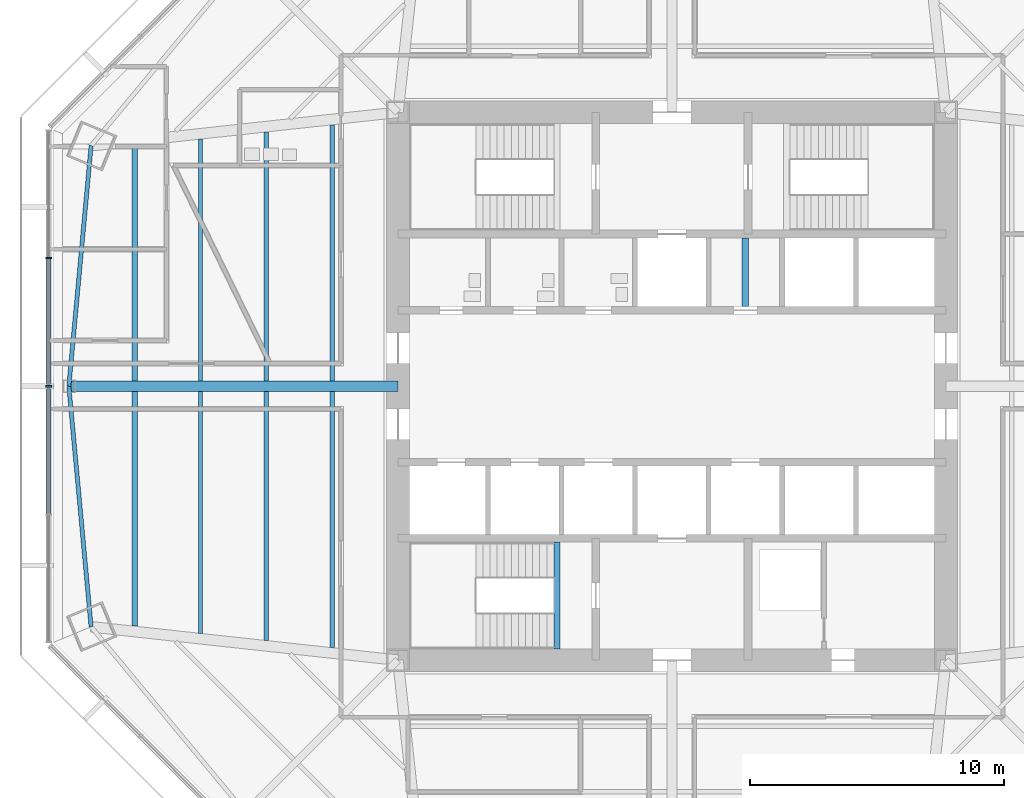
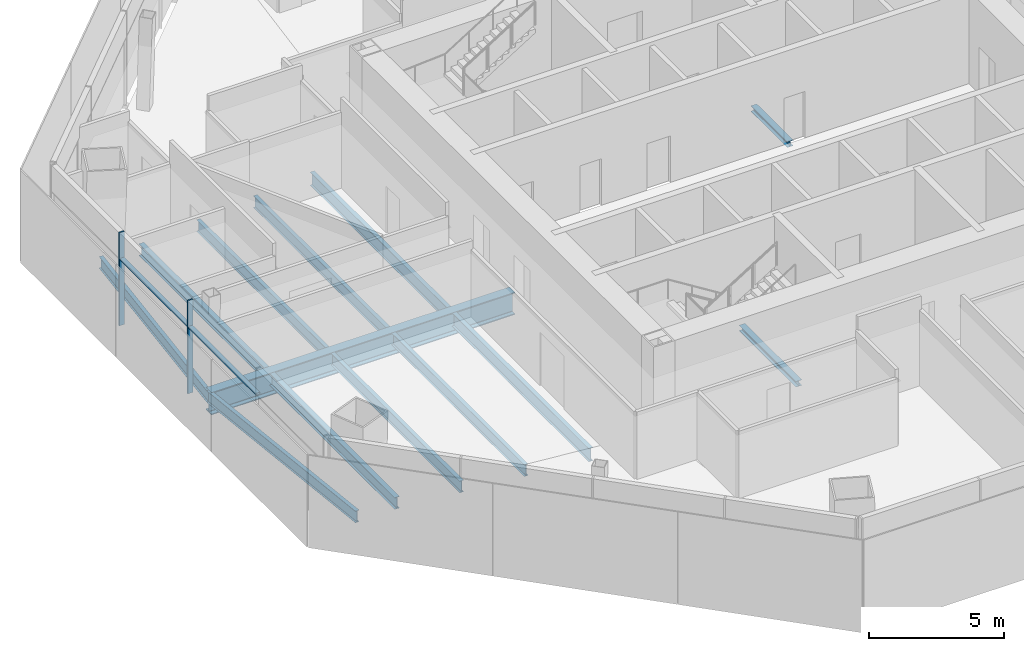
# One storey, part 3 of 14: 13 beams, 4 members, 1 element without a shape of its own.
"""IFC4 building model written with IfcOpenShell, lengths in metres."""

import ifcopenshell
import ifcopenshell.guid

model = None  # the IFC model being written
_history = None  # IfcOwnerHistory: only IFC2X3 demands one
_inside = {}  # id of a spatial element -> (the spatial element, [elements in it])
_under = {}  # id of a project, library or spatial element -> (it, [spatial elements below it])
_declared = {}  # id of a project -> (the project, [libraries it declares])
_typed = {}  # id of a type object -> (the type object, [elements of that type])
_made_of = {}  # id of a material, layer set ... -> (it, [elements and type objects made of it])


def new_model(schema):
    """Start an empty IFC model of exactly this schema.

    Asked for "IFC4X3", IfcOpenShell would pick the latest addendum, in which some entities
    have other attributes; the version numbers below select the first issue.
    IFC2X3 requires an IfcOwnerHistory on every rooted entity: one is made here for all.
    """
    global model, _history
    if schema == "IFC4X3":
        model = ifcopenshell.file(schema_version=(4, 3, 0, 0))
    else:
        model = ifcopenshell.file(schema=schema)
    _inside.clear()
    _under.clear()
    _declared.clear()
    _typed.clear()
    _made_of.clear()
    _history = None
    if model.schema == "IFC2X3":
        org = make("IfcOrganization", Name="unknown")
        user = make(
            "IfcPersonAndOrganization",
            ThePerson=make("IfcPerson", FamilyName="unknown"),
            TheOrganization=org,
        )
        app = make(
            "IfcApplication",
            ApplicationDeveloper=org,
            Version="unknown",
            ApplicationFullName="unknown",
            ApplicationIdentifier="unknown",
        )
        _history = make(
            "IfcOwnerHistory",
            OwningUser=user,
            OwningApplication=app,
            ChangeAction="ADDED",
            CreationDate=0,
        )
    return model


def make(cls, **values):
    """One entity of the class cls with the attributes given. An attribute that is None is left unset."""
    return model.create_entity(
        cls, **{name: value for name, value in values.items() if value is not None}
    )


def rooted(cls, **values):
    """An entity with a GlobalId (a new one), such as an element, a storey or a relation."""
    return make(cls, GlobalId=ifcopenshell.guid.new(), OwnerHistory=_history, **values)


def si_unit(unit_type, name, prefix=None):
    """IfcSIUnit, for example si_unit("LENGTHUNIT", "METRE", prefix="MILLI")."""
    return make("IfcSIUnit", UnitType=unit_type, Prefix=prefix, Name=name)


def assignment(units):
    """IfcUnitAssignment: the units of a project."""
    return None if units is None else make("IfcUnitAssignment", Units=units)


def point(xyz):
    """IfcCartesianPoint."""
    return None if xyz is None else make("IfcCartesianPoint", Coordinates=xyz)


def direction(xyz):
    """IfcDirection."""
    return None if xyz is None else make("IfcDirection", DirectionRatios=xyz)


def frame(location, z_axis=None, x_axis=None):
    """IfcAxis2Placement3D, a coordinate frame: its origin and axes. An axis left out is left unset."""
    return make(
        "IfcAxis2Placement3D",
        Location=point(location),
        Axis=direction(z_axis),
        RefDirection=direction(x_axis),
    )


def frame_2d(location, x_axis=None):
    """IfcAxis2Placement2D, a coordinate frame in the plane: its origin and x axis."""
    return make(
        "IfcAxis2Placement2D", Location=point(location), RefDirection=direction(x_axis)
    )


def origin():
    """The frame at (0, 0, 0) with its axes left unset."""
    return frame((0.0, 0.0, 0.0))


def origin_2d():
    """The frame at (0, 0) in the plane with its x axis left unset."""
    return frame_2d((0.0, 0.0))


def place(relative_to, where):
    """IfcLocalPlacement: puts the frame where relative to a parent placement (None: the world)."""
    return make(
        "IfcLocalPlacement", PlacementRelTo=relative_to, RelativePlacement=where
    )


def context(
    kind, dimensions, precision=None, world=None, true_north=None, identifier=None
):
    """IfcGeometricRepresentationContext, for example the 3D "Model" context."""
    return make(
        "IfcGeometricRepresentationContext",
        ContextIdentifier=identifier,
        ContextType=kind,
        CoordinateSpaceDimension=dimensions,
        Precision=precision,
        WorldCoordinateSystem=world,
        TrueNorth=true_north,
    )


def subcontext(parent, identifier, kind, view, scale=None):
    """IfcGeometricRepresentationSubContext, for example "Body" below "Model"."""
    return make(
        "IfcGeometricRepresentationSubContext",
        ContextIdentifier=identifier,
        ContextType=kind,
        ParentContext=parent,
        TargetScale=scale,
        TargetView=view,
    )


def project(units=None, contexts=None):
    """IfcProject with its units and contexts."""
    return rooted(
        "IfcProject",
        Name="project",
        RepresentationContexts=contexts,
        UnitsInContext=assignment(units),
    )


def spatial(cls, under=None, at=None, **own):
    """A site, building, storey or space (cls), placed at a placement, below another one or the project."""
    s = rooted(cls, ObjectPlacement=at, **own)
    if under is not None:
        _under.setdefault(under.id(), (under, []))[1].append(s)
    return s


def profile(cls, at=None, kind="AREA", **sizes):
    """A parametric profile (cls). Its sizes go by their IFC names, for example OverallWidth=200.0."""
    return make(cls, ProfileType=kind, Position=at, **sizes)


def rectangle(**sizes):
    """IfcRectangleProfileDef."""
    return profile("IfcRectangleProfileDef", **sizes)


def i_section(**sizes):
    """IfcIShapeProfileDef."""
    return profile("IfcIShapeProfileDef", **sizes)


def extrude(swept, where, along, depth):
    """IfcExtrudedAreaSolid: the profile swept, set in the frame where, extruded along a direction by depth."""
    return make(
        "IfcExtrudedAreaSolid",
        SweptArea=swept,
        Position=where,
        ExtrudedDirection=direction(along),
        Depth=depth,
    )


def shape(context_of_items, identifier, shape_type, items):
    """IfcShapeRepresentation: the items that make up one representation, for example the "Body"."""
    return make(
        "IfcShapeRepresentation",
        ContextOfItems=context_of_items,
        RepresentationIdentifier=identifier,
        RepresentationType=shape_type,
        Items=items,
    )


def source(mapping_origin, context_of_items, identifier, shape_type, items):
    """IfcRepresentationMap: a shape defined once, which mapped items show again and again."""
    return make(
        "IfcRepresentationMap",
        MappingOrigin=mapping_origin,
        MappedRepresentation=shape(context_of_items, identifier, shape_type, items),
    )


def transform(
    local_origin,
    x_axis=None,
    y_axis=None,
    z_axis=None,
    scale=None,
    scale2=None,
    scale3=None,
    uniform=True,
):
    """IfcCartesianTransformationOperator3D, or its non-uniform kind. x_axis, y_axis, z_axis: its Axis1, 2, 3."""
    if uniform:
        return make(
            "IfcCartesianTransformationOperator3D",
            Axis1=direction(x_axis),
            Axis2=direction(y_axis),
            LocalOrigin=point(local_origin),
            Scale=scale,
            Axis3=direction(z_axis),
        )
    return make(
        "IfcCartesianTransformationOperator3DnonUniform",
        Axis1=direction(x_axis),
        Axis2=direction(y_axis),
        LocalOrigin=point(local_origin),
        Scale=scale,
        Axis3=direction(z_axis),
        Scale2=scale2,
        Scale3=scale3,
    )


def mapped(mapping_source, mapping_target):
    """IfcMappedItem: shows the shape of a source again, moved by a transform."""
    return make(
        "IfcMappedItem", MappingSource=mapping_source, MappingTarget=mapping_target
    )


def material(Name=None, Category=None):
    """IfcMaterial."""
    return make("IfcMaterial", Name=Name, Category=Category)


def material_profile(
    of_material, cross_section, Name=None, Category=None, Priority=None
):
    """IfcMaterialProfile: a cross section and its material."""
    return make(
        "IfcMaterialProfile",
        Name=Name,
        Material=of_material,
        Profile=cross_section,
        Priority=Priority,
        Category=Category,
    )


def profile_set(profiles, Name=None, composite=None):
    """IfcMaterialProfileSet."""
    return make(
        "IfcMaterialProfileSet",
        Name=Name,
        MaterialProfiles=profiles,
        CompositeProfile=composite,
    )


def made_of(thing, what):
    """Note that an element or type object is made of a material, layer set ...; save() writes the relation."""
    if what is not None:
        _made_of.setdefault(what.id(), (what, []))[1].append(thing)
    return thing


def type_object(cls, material=None, **own):
    """A type object (cls), such as IfcWallType, which elements share."""
    return made_of(rooted(cls, **own), material)


def type_shapes(of_type, sources):
    """Give a type object the sources (RepresentationMaps) that its elements show as mapped items."""
    of_type.RepresentationMaps = sources


def element(
    cls,
    number,
    at=None,
    inside=None,
    cuts=None,
    type_object=None,
    material=None,
    context=None,
    identifier="Body",
    shape_type=None,
    held_by="IfcProductDefinitionShape",
    body=None,
    shapes=None,
    **own,
):
    """One element of the class cls, such as IfcWall. Its Tag is "e" and its number.

    at: its placement. inside: the storey or other place that contains it. cuts: it is an
    opening in that element (IfcRelVoidsElement). A single representation is given by context,
    identifier, shape_type and body (its items); several are given by shapes. held_by: the class
    of the entity that holds the representations. save() writes the other relations.
    """
    e = rooted(cls, Tag="e%d" % number, ObjectPlacement=at, **own)
    if body is not None:
        shapes = [shape(context, identifier, shape_type, body)]
    if shapes is not None:
        e.Representation = make(held_by, Representations=shapes)
    if inside is not None:
        _inside.setdefault(inside.id(), (inside, []))[1].append(e)
    if cuts is not None:
        rooted(
            "IfcRelVoidsElement", RelatingBuildingElement=cuts, RelatedOpeningElement=e
        )
    if type_object is not None:
        _typed.setdefault(type_object.id(), (type_object, []))[1].append(e)
    return made_of(e, material)


def aggregate(whole, parts):
    """IfcRelAggregates: a whole, such as a stair, and the parts it consists of."""
    return rooted("IfcRelAggregates", RelatingObject=whole, RelatedObjects=parts)


def save(model, path):
    """Write the relations noted so far, then the file.

    IfcRelAggregates (storeys below a building ...), IfcRelContainedInSpatialStructure (elements
    in a storey), IfcRelDefinesByType, IfcRelAssociatesMaterial and IfcRelDeclares: one each for
    every whole, place, type object, material and project.
    """
    for whole, parts in _under.values():
        aggregate(whole, parts)
    for where, things in _inside.values():
        rooted(
            "IfcRelContainedInSpatialStructure",
            RelatedElements=things,
            RelatingStructure=where,
        )
    for kind, things in _typed.values():
        rooted("IfcRelDefinesByType", RelatedObjects=things, RelatingType=kind)
    for what, things in _made_of.values():
        rooted("IfcRelAssociatesMaterial", RelatedObjects=things, RelatingMaterial=what)
    for by, libraries in _declared.values():
        rooted("IfcRelDeclares", RelatingContext=by, RelatedDefinitions=libraries)
    model.write(path)


model = new_model("IFC4")

# Units and contexts
model_context = context("Model", 3, precision=1e-05, world=origin(), true_north=direction((0.0, 1.0)))
body_context = subcontext(model_context, "Body", "Model", "MODEL_VIEW")
ifc_project = project(units=[si_unit("LENGTHUNIT", "METRE"), si_unit("AREAUNIT", "SQUARE_METRE"), si_unit("VOLUMEUNIT", "CUBIC_METRE"), si_unit("PLANEANGLEUNIT", "RADIAN"), si_unit("MASSUNIT", "GRAM", prefix="KILO")], contexts=[model_context])

# Site, building, storey
site_placement = place(None, origin())
site = spatial("IfcSite", under=ifc_project, at=site_placement, CompositionType="ELEMENT")
building_placement = place(site_placement, origin())
building = spatial("IfcBuilding", under=site, at=building_placement, Name="Mashrafa Tower", CompositionType="ELEMENT")
storey_placement = place(building_placement, frame((0.0, 0.0, 121.800048828125)))
storey = spatial("IfcBuildingStorey", under=building, at=storey_placement, Name="L27", CompositionType="ELEMENT", Elevation=121.800048828125)

# Beams
ifc_material_1 = material(Name="Steel ASTM A992", Category="steel")
ifc_material_profile_1 = material_profile(ifc_material_1, i_section(OverallWidth=0.1650390625, OverallDepth=0.52587890625, WebThickness=0.0087890625, FlangeThickness=0.011474609375, FilletRadius=0.0126953125, at=origin_2d()), Name="W21X44")
ifc_profile_set_1 = profile_set([ifc_material_profile_1], Name="Steel ASTM A992")
beam_type_1 = type_object("IfcBeamType", Name="Beam W21X44", PredefinedType="BEAM", material=ifc_profile_set_1)
for number, where, z_axis, x_axis, name in (
    (1, (-18.584228515625, -9.7421875, -0.427978515625), (0.0, 1.0, 0.0), (-1.0, 0.0, 0.0), "Floor beam L27 004"),
    (2, (-18.584228515625, 0.20068359375, -0.427978515625), (0.0, 1.0, 0.0), (-1.0, 0.0, 0.0), "Floor beam L27 005"),
):
    element("IfcBeam", number, at=place(storey_placement, frame(where, z_axis=z_axis, x_axis=x_axis)), inside=storey, type_object=beam_type_1, Name=name, PredefinedType="BEAM", context=body_context, shape_type="SweptSolid", body=[
        extrude(i_section(OverallWidth=0.1650390625, OverallDepth=0.52587890625, WebThickness=0.0087890625, FlangeThickness=0.011474609375, FilletRadius=0.0126953125, at=origin_2d()), origin(), (0.0, 0.0, 1.0), 9.54150390625),
    ])
for number, where, z_axis, x_axis, name in (
    (3, (-15.989501953125, -10.0244140625, -0.427978515625), (0.0, 1.0, 0.0), (-1.0, 0.0, 0.0), "Floor beam L27 006"),
    (4, (-15.989501953125, 0.20068359375, -0.427978515625), (0.0, 1.0, 0.0), (-1.0, 0.0, 0.0), "Floor beam L27 007"),
):
    element("IfcBeam", number, at=place(storey_placement, frame(where, z_axis=z_axis, x_axis=x_axis)), inside=storey, type_object=beam_type_1, Name=name, PredefinedType="BEAM", context=body_context, shape_type="SweptSolid", body=[
        extrude(i_section(OverallWidth=0.1650390625, OverallDepth=0.52587890625, WebThickness=0.0087890625, FlangeThickness=0.011474609375, FilletRadius=0.0126953125, at=origin_2d()), origin(), (0.0, 0.0, 1.0), 9.82373046875),
    ])
for number, where, z_axis, x_axis, name in (
    (5, (-23.773681640625, 0.0, -0.427978515625), (0.092204329172, -0.995740107499, 0.0), (0.995740107499, 0.092204329172, 0.0), "Spandrel beam L27 065"),
    (6, (-22.8955078125, 9.483642578125, -0.427978515625), (-0.092204329172, -0.995740107499, 0.0), (0.995740107499, -0.092204329172, 0.0), "Spandrel beam L27 067"),
):
    element("IfcBeam", number, at=place(storey_placement, frame(where, z_axis=z_axis, x_axis=x_axis)), inside=storey, type_object=beam_type_1, Name=name, PredefinedType="BEAM", context=body_context, shape_type="SweptSolid", body=[
        extrude(i_section(OverallWidth=0.1650390625, OverallDepth=0.52587890625, WebThickness=0.0087890625, FlangeThickness=0.011474609375, FilletRadius=0.0126953125, at=origin_2d()), origin(), (0.0, 0.0, 1.0), 9.524169921875),
    ])
ifc_material_2 = material(Name="Steel ASTM A992", Category="steel")
ifc_material_profile_2 = material_profile(ifc_material_2, i_section(OverallWidth=0.209228515625, OverallDepth=0.533447265625, WebThickness=0.01025390625, FlangeThickness=0.015625, FilletRadius=0.012939453125, at=origin_2d()), Name="W21X62")
ifc_profile_set_2 = profile_set([ifc_material_profile_2], Name="Steel ASTM A992")
beam_type_2 = type_object("IfcBeamType", Name="Beam W21X62", PredefinedType="BEAM", material=ifc_profile_set_2)
for number, where, z_axis, x_axis, name in (
    (7, (-21.178955078125, -9.459716796875, -0.431640625), (0.0, 1.0, 0.0), (-1.0, 0.0, 0.0), "Floor beam L27 001"),
    (8, (-21.178955078125, 0.20068359375, -0.431640625), (0.0, 1.0, 0.0), (-1.0, 0.0, 0.0), "Floor beam L27 002"),
):
    element("IfcBeam", number, at=place(storey_placement, frame(where, z_axis=z_axis, x_axis=x_axis)), inside=storey, type_object=beam_type_2, Name=name, PredefinedType="BEAM", context=body_context, shape_type="SweptSolid", body=[
        extrude(i_section(OverallWidth=0.209228515625, OverallDepth=0.533447265625, WebThickness=0.01025390625, FlangeThickness=0.015625, FilletRadius=0.012939453125, at=origin_2d()), origin(), (0.0, 0.0, 1.0), 9.259033203125),
    ])
ifc_material_3 = material(Name="Steel ASTM A992", Category="steel")
ifc_material_profile_3 = material_profile(ifc_material_3, i_section(OverallWidth=0.177978515625, OverallDepth=0.599365234375, WebThickness=0.010009765625, FlangeThickness=0.012939453125, FilletRadius=0.012939453125, at=origin_2d()), Name="W24X55")
ifc_profile_set_3 = profile_set([ifc_material_profile_3], Name="Steel ASTM A992")
beam_type_3 = type_object("IfcBeamType", Name="Beam W24X55", PredefinedType="BEAM", material=ifc_profile_set_3)
for number, where, z_axis, x_axis, name in (
    (9, (-13.394775390625, -10.306884765625, -0.46484375), (0.0, 1.0, 0.0), (-1.0, 0.0, 0.0), "Floor beam L27 011"),
    (10, (-13.394775390625, 0.20068359375, -0.46484375), (0.0, 1.0, 0.0), (-1.0, 0.0, 0.0), "Floor beam L27 012"),
):
    element("IfcBeam", number, at=place(storey_placement, frame(where, z_axis=z_axis, x_axis=x_axis)), inside=storey, type_object=beam_type_3, Name=name, PredefinedType="BEAM", context=body_context, shape_type="SweptSolid", body=[
        extrude(i_section(OverallWidth=0.177978515625, OverallDepth=0.599365234375, WebThickness=0.010009765625, FlangeThickness=0.012939453125, FilletRadius=0.012939453125, at=origin_2d()), origin(), (0.0, 0.0, 1.0), 10.106201171875),
    ])
ifc_material_4 = material(Name="Steel ASTM A992", Category="steel")
ifc_material_profile_4 = material_profile(ifc_material_4, i_section(OverallWidth=0.4013671875, OverallDepth=1.010986328125, WebThickness=0.023681640625, FlangeThickness=0.0419921875, FilletRadius=0.02001953125, at=origin_2d()), Name="W40X297")
ifc_profile_set_4 = profile_set([ifc_material_profile_4], Name="Steel ASTM A992")
beam_type_4 = type_object("IfcBeamType", Name="Beam W40X297", PredefinedType="BEAM", material=ifc_profile_set_4)
beam_1_placement = place(storey_placement, frame((-10.800048828125, 0.0, -0.67041015625), z_axis=(-1.0, 0.0, 0.0), x_axis=(0.0, -1.0, 0.0)))
element("IfcBeam", 11, at=beam_1_placement, inside=storey, type_object=beam_type_4, Name="Radial girder L27 052", PredefinedType="BEAM", context=body_context, shape_type="SweptSolid", body=[
    extrude(i_section(OverallWidth=0.4013671875, OverallDepth=1.010986328125, WebThickness=0.023681640625, FlangeThickness=0.0419921875, FilletRadius=0.02001953125, at=origin_2d()), origin(), (0.0, 0.0, 1.0), 12.9736328125),
])
ifc_material_5 = material(Name="Steel ASTM A992", Category="steel")
ifc_material_profile_5 = material_profile(ifc_material_5, i_section(OverallWidth=0.25390625, OverallDepth=0.25390625, WebThickness=0.008544921875, FlangeThickness=0.01416015625, FilletRadius=0.010009765625, at=origin_2d()), Name="W10X49")
ifc_profile_set_5 = profile_set([ifc_material_profile_5], Name="Steel ASTM A992")
beam_type_5 = type_object("IfcBeamType", Name="Hoistway beam W10X49", PredefinedType="BEAM", material=ifc_profile_set_5)
beam_2_placement = place(storey_placement, frame((2.89990234375, 3.14990234375, -0.2919921875), z_axis=(0.0, 1.0, 0.0), x_axis=(-1.0, 0.0, 0.0)))
element("IfcBeam", 12, at=beam_2_placement, inside=storey, type_object=beam_type_5, Name="Hoistway beam L27 06", PredefinedType="BEAM", context=body_context, shape_type="SweptSolid", body=[
    extrude(i_section(OverallWidth=0.25390625, OverallDepth=0.25390625, WebThickness=0.008544921875, FlangeThickness=0.01416015625, FilletRadius=0.010009765625, at=origin_2d()), origin(), (0.0, 0.0, 1.0), 2.7001953125),
])
beam_3_placement = place(storey_placement, frame((-4.530029296875, -10.35009765625, -0.3271484375), z_axis=(0.0, 1.0, 0.0), x_axis=(-1.0, 0.0, 0.0)))
element("IfcBeam", 13, at=beam_3_placement, inside=storey, type_object=beam_type_5, Name="Stair S3 landing beam L27", PredefinedType="BEAM", context=body_context, shape_type="SweptSolid", body=[
    extrude(i_section(OverallWidth=0.25390625, OverallDepth=0.25390625, WebThickness=0.008544921875, FlangeThickness=0.01416015625, FilletRadius=0.010009765625, at=origin_2d()), origin(), (0.0, 0.0, 1.0), 4.2001953125),
])

# Curtain wall, members
ifc_material_6 = material(Name="Unitised aluminium curtain wall", Category="aluminium")
curtain_wall_type = type_object("IfcCurtainWallType", Name="Office curtain wall, zone 2 CW-B 225 deep", PredefinedType="NOTDEFINED", material=ifc_material_6)
curtain_wall_placement = place(storey_placement, origin())
curtain_wall = element("IfcCurtainWall", 14, at=curtain_wall_placement, inside=storey, type_object=curtain_wall_type, Name="Office curtain wall, zone 2 L27 west", PredefinedType="NOTDEFINED")
ifc_material_7 = material(Name="Extruded aluminium mullion", Category="aluminium")
ifc_material_profile_6 = material_profile(ifc_material_7, rectangle(XDim=0.22509765625, YDim=0.06494140625, at=origin_2d()), Name="Mullion 65x225")
ifc_profile_set_6 = profile_set([ifc_material_profile_6], Name="Extruded aluminium mullion")
member_type_1 = type_object("IfcMemberType", Name="Mullion CW-B 65 x 225", PredefinedType="MULLION", material=ifc_profile_set_6)
shared_shape_1 = source(origin(), body_context, "Body", "SweptSolid", [
    extrude(rectangle(XDim=0.22509765625, YDim=0.06494140625, at=origin_2d()), origin(), (0.0, 0.0, 1.0), 4.199951171875),
])
type_shapes(member_type_1, [shared_shape_1])
member_1_placement = place(storey_placement, frame((-24.569091796875, 5.06005859375, 0.0), z_axis=(0.0, 0.0, 1.0), x_axis=(1.0, 0.0, 0.0)))
member_1 = element("IfcMember", 15, at=member_1_placement, type_object=member_type_1, Name="CW-B mullion 2", PredefinedType="MULLION", context=body_context, shape_type="MappedRepresentation", body=[
    mapped(shared_shape_1, transform((0.0, 0.0, 0.0))),
])
member_2_placement = place(storey_placement, frame((-24.569091796875, 0.0, 0.0), z_axis=(0.0, 0.0, 1.0), x_axis=(1.0, 0.0, 0.0)))
member_2 = element("IfcMember", 16, at=member_2_placement, type_object=member_type_1, Name="CW-B mullion 3", PredefinedType="MULLION", context=body_context, shape_type="MappedRepresentation", body=[
    mapped(shared_shape_1, transform((0.0, 0.0, 0.0))),
])
ifc_material_8 = material(Name="Extruded aluminium transom", Category="aluminium")
ifc_material_profile_7 = material_profile(ifc_material_8, rectangle(XDim=0.179931640625, YDim=0.080078125, at=origin_2d()), Name="Transom 80x180")
ifc_profile_set_7 = profile_set([ifc_material_profile_7], Name="Extruded aluminium transom")
member_type_2 = type_object("IfcMemberType", Name="Transom CW-B 80 x 180", PredefinedType="MULLION", material=ifc_profile_set_7)
shared_shape_2 = source(origin(), body_context, "Body", "SweptSolid", [
    extrude(rectangle(XDim=0.179931640625, YDim=0.080078125, at=origin_2d()), origin(), (0.0, 0.0, 1.0), 4.9951171875),
])
type_shapes(member_type_2, [shared_shape_2])
member_3_placement = place(storey_placement, frame((-24.569091796875, 5.027587890625, 3.0), z_axis=(0.0, -1.0, 0.0), x_axis=(1.0, 0.0, 0.0)))
member_3 = element("IfcMember", 17, at=member_3_placement, type_object=member_type_2, Name="CW-B transom 2", PredefinedType="MULLION", context=body_context, shape_type="MappedRepresentation", body=[
    mapped(shared_shape_2, transform((0.0, 0.0, 0.0))),
])
member_4_placement = place(storey_placement, frame((-24.569091796875, -0.032470703125, 3.0), z_axis=(0.0, -1.0, 0.0), x_axis=(1.0, 0.0, 0.0)))
member_4 = element("IfcMember", 18, at=member_4_placement, type_object=member_type_2, Name="CW-B transom 3", PredefinedType="MULLION", context=body_context, shape_type="MappedRepresentation", body=[
    mapped(shared_shape_2, transform((0.0, 0.0, 0.0))),
])
aggregate(curtain_wall, [member_1, member_2, member_3, member_4])

save(model, "model.ifc")
